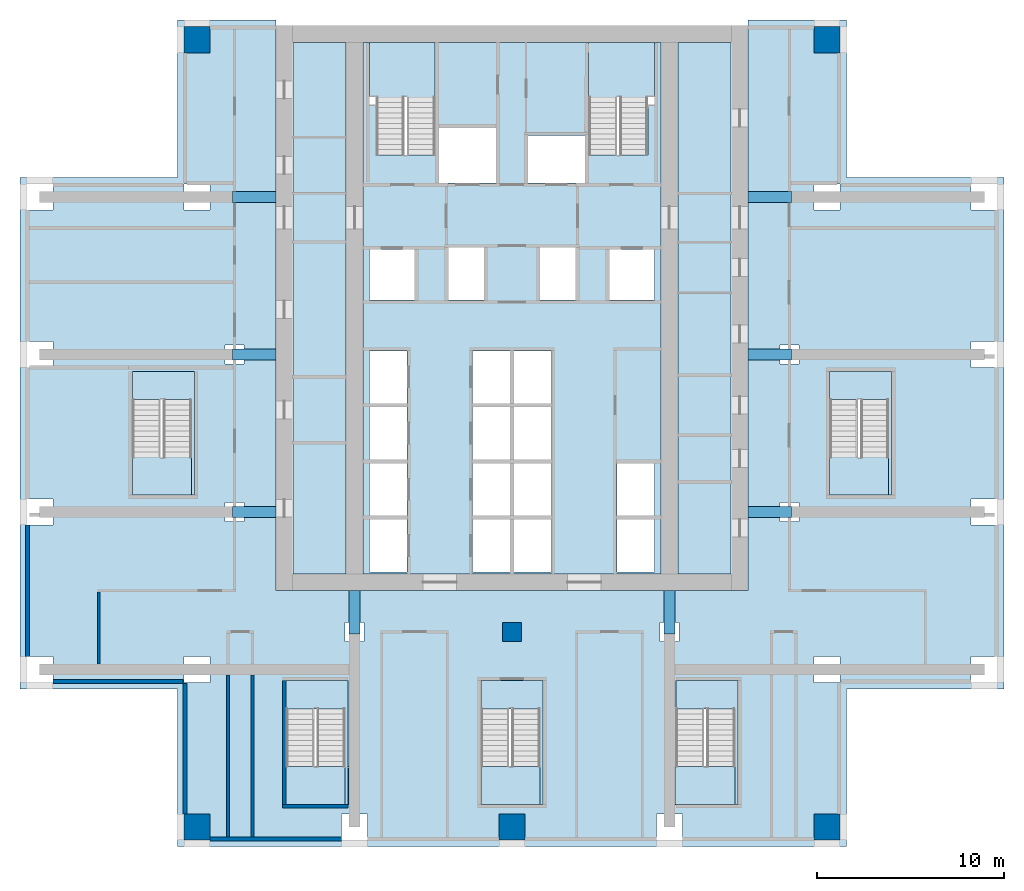
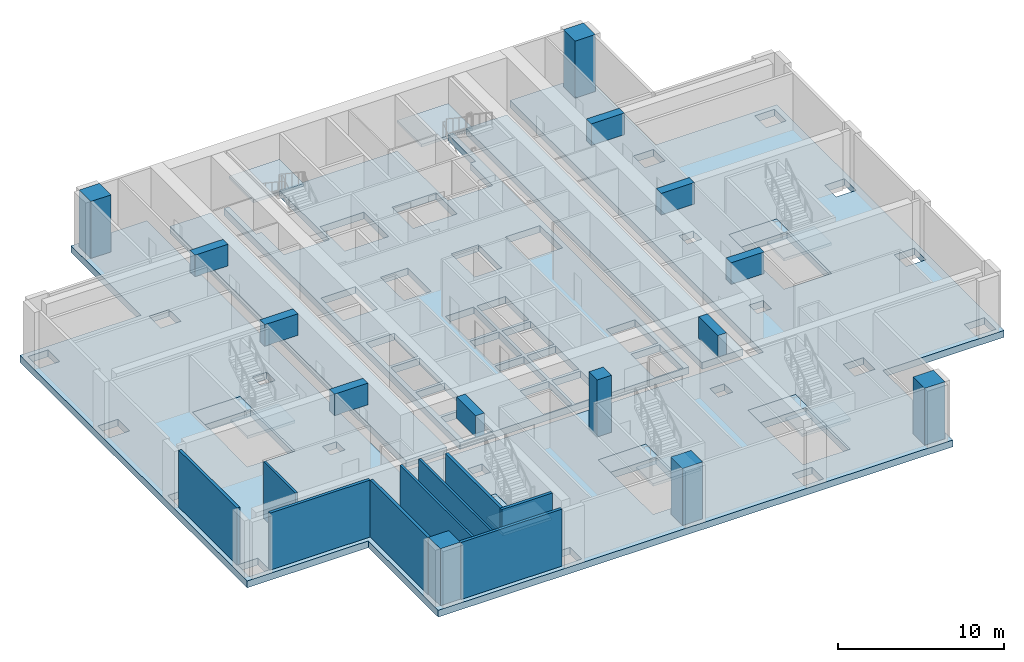
# One storey, part 1 of 11: 16 slabs, 9 walls, 8 beams, 6 columns, 7 elements without a shape of their own.
"""IFC4 building model written with IfcOpenShell, lengths in metres."""

from ifc_helpers import new_model, si_unit, direction, frame, frame_2d, origin, origin_2d, place, context, subcontext, project, spatial, polyline, rectangle, outline, extrude, material, layer, layer_set, material_profile, profile_set, type_object, element, aggregate, save


model = new_model("IFC4")

# Units and contexts
model_context = context("Model", 3, precision=1e-05, world=origin(), true_north=direction((0.0, 1.0)))
body_context = subcontext(model_context, "Body", "Model", "MODEL_VIEW")
ifc_project = project(units=[si_unit("LENGTHUNIT", "METRE"), si_unit("AREAUNIT", "SQUARE_METRE"), si_unit("VOLUMEUNIT", "CUBIC_METRE"), si_unit("PLANEANGLEUNIT", "RADIAN"), si_unit("MASSUNIT", "GRAM", prefix="KILO")], contexts=[model_context])

# Site, building, storey
site_placement = place(None, origin())
site = spatial("IfcSite", under=ifc_project, at=site_placement, CompositionType="ELEMENT")
building_placement = place(site_placement, origin())
building = spatial("IfcBuilding", under=site, at=building_placement, Name="Vermilion Ogive Tower", CompositionType="ELEMENT")
storey_placement = place(building_placement, frame((0.0, 0.0, 75.89990234375)))
storey = spatial("IfcBuildingStorey", under=building, at=storey_placement, Name="L18", CompositionType="ELEMENT", Elevation=75.89990234375)

# Columns
ifc_material_1 = material(Name="Concrete B80", Category="concrete")
ifc_material_profile_1 = material_profile(ifc_material_1, rectangle(XDim=1.39990234375, YDim=1.39990234375, at=origin_2d()), Name="1400 x 1400")
ifc_profile_set_1 = profile_set([ifc_material_profile_1], Name="Concrete B80")
column_type_1 = type_object("IfcColumnType", Name="Perimeter column 1400 x 1400 B80", PredefinedType="COLUMN", material=ifc_profile_set_1)
for number, where, z_axis, x_axis, name in (
    (1, (-16.800048828125, -21.0, -0.5), (0.0, 0.0, 1.0), (1.0, 0.0, 0.0), "COL-L18-P-0168-210"),
    (2, (0.0, -21.0, -0.5), (0.0, 0.0, 1.0), (1.0, 0.0, 0.0), "COL-L18-P+0000-210"),
    (3, (16.800048828125, -21.0, -0.5), (0.0, 0.0, 1.0), (1.0, 0.0, 0.0), "COL-L18-P+0168-210"),
    (4, (-16.800048828125, 21.0, -0.5), (0.0, 0.0, 1.0), (1.0, 0.0, 0.0), "COL-L18-P-0168+210"),
    (5, (16.800048828125, 21.0, -0.5), (0.0, 0.0, 1.0), (1.0, 0.0, 0.0), "COL-L18-P+0168+210"),
):
    element("IfcColumn", number, at=place(storey_placement, frame(where, z_axis=z_axis, x_axis=x_axis)), inside=storey, type_object=column_type_1, Name=name, PredefinedType="COLUMN", context=body_context, shape_type="SweptSolid", body=[
        extrude(rectangle(XDim=1.39990234375, YDim=1.39990234375, at=origin_2d()), origin(), (0.0, 0.0, 1.0), 4.68017578125),
    ])
ifc_material_2 = material(Name="Concrete B80", Category="concrete")
ifc_material_profile_2 = material_profile(ifc_material_2, rectangle(XDim=1.0, YDim=1.0, at=origin_2d()), Name="1000 x 1000")
ifc_profile_set_2 = profile_set([ifc_material_profile_2], Name="Concrete B80")
column_type_2 = type_object("IfcColumnType", Name="Ring column 1000 x 1000 B80", PredefinedType="COLUMN", material=ifc_profile_set_2)
column_placement = place(storey_placement, frame((0.0, -10.60009765625, -0.5), z_axis=(0.0, 0.0, 1.0), x_axis=(1.0, 0.0, 0.0)))
element("IfcColumn", 6, at=column_placement, inside=storey, type_object=column_type_2, Name="COL-L18-R+0000-106", PredefinedType="COLUMN", context=body_context, shape_type="SweptSolid", body=[
    extrude(rectangle(XDim=1.0, YDim=1.0, at=origin_2d()), origin(), (0.0, 0.0, 1.0), 4.68017578125),
])

# Beams
ifc_material_3 = material(Name="Concrete B60", Category="concrete")
ifc_material_profile_3 = material_profile(ifc_material_3, rectangle(XDim=0.60009765625, YDim=1.580078125, at=origin_2d()), Name="600 x 1580")
ifc_profile_set_3 = profile_set([ifc_material_profile_3], Name="Concrete B60")
beam_type = type_object("IfcBeamType", Name="Outrigger lintel beam 600 x 1580 B60", PredefinedType="BEAM", material=ifc_profile_set_3)
for number, where, z_axis, x_axis, name in (
    (7, (12.60009765625, -4.199951171875, 3.39013671875), (1.0, 0.0, 0.0), (0.0, 1.0, 0.0), "L18-OL-EWE-4.2"),
    (8, (12.60009765625, 4.199951171875, 3.39013671875), (1.0, 0.0, 0.0), (0.0, 1.0, 0.0), "L18-OL-EWE+4.2"),
    (9, (12.60009765625, 12.60009765625, 3.39013671875), (1.0, 0.0, 0.0), (0.0, 1.0, 0.0), "L18-OL-EWE+12.6"),
    (10, (-12.60009765625, -4.199951171875, 3.39013671875), (-1.0, 0.0, 0.0), (0.0, -1.0, 0.0), "L18-OL-EWW-4.2"),
    (11, (-12.60009765625, 4.199951171875, 3.39013671875), (-1.0, 0.0, 0.0), (0.0, -1.0, 0.0), "L18-OL-EWW+4.2"),
    (12, (-12.60009765625, 12.60009765625, 3.39013671875), (-1.0, 0.0, 0.0), (0.0, -1.0, 0.0), "L18-OL-EWW+12.6"),
):
    element("IfcBeam", number, at=place(storey_placement, frame(where, z_axis=z_axis, x_axis=x_axis)), inside=storey, type_object=beam_type, Name=name, PredefinedType="BEAM", context=body_context, shape_type="SweptSolid", body=[
        extrude(rectangle(XDim=0.60009765625, YDim=1.580078125, at=origin_2d()), origin(), (0.0, 0.0, 1.0), 2.2998046875),
    ])
for number, where, z_axis, x_axis, name in (
    (13, (-8.39990234375, -8.39990234375, 3.39013671875), (0.0, -1.0, 0.0), (1.0, 0.0, 0.0), "L18-OL-NS-8.4"),
    (14, (8.39990234375, -8.39990234375, 3.39013671875), (0.0, -1.0, 0.0), (1.0, 0.0, 0.0), "L18-OL-NS+8.4"),
):
    element("IfcBeam", number, at=place(storey_placement, frame(where, z_axis=z_axis, x_axis=x_axis)), inside=storey, type_object=beam_type, Name=name, PredefinedType="BEAM", context=body_context, shape_type="SweptSolid", body=[
        extrude(rectangle(XDim=0.60009765625, YDim=1.580078125, at=origin_2d()), origin(), (0.0, 0.0, 1.0), 2.300048828125),
    ])

# Slabs
ifc_material_4 = material(Name="Concrete B40", Category="concrete")
ifc_layer_1 = layer(ifc_material_4, 0.5)
ifc_layer_set_1 = layer_set([ifc_layer_1], Name="Core floor slab 500 B40")
slab_type_1 = type_object("IfcSlabType", Name="Core floor slab 500 B40", PredefinedType="FLOOR", material=ifc_layer_set_1)
slab_1_placement = place(storey_placement, frame((0.0, 0.0, -0.5)))
element("IfcSlab", 15, at=slab_1_placement, inside=storey, type_object=slab_type_1, Name="L18-CK-FS1", PredefinedType="FLOOR", context=body_context, shape_type="SweptSolid", body=[
    extrude(outline(polyline([(-8.85400390625, -7.49609375), (-11.696044921875, -7.49609375), (-11.696044921875, 20.845947265625), (-8.85400390625, 20.845947265625), (-8.85400390625, -7.49609375)])), origin(), (0.0, 0.0, 1.0), 0.5),
])
slab_2_placement = place(storey_placement, frame((0.0, 0.0, -0.5)))
element("IfcSlab", 16, at=slab_2_placement, inside=storey, type_object=slab_type_1, Name="L18-CK-FS2", PredefinedType="FLOOR", context=body_context, shape_type="SweptSolid", body=[
    extrude(outline(polyline([(5.75, 14.85009765625), (5.60009765625, 14.85009765625), (5.60009765625, 14.85205078125), (4.10009765625, 14.85205078125), (4.10009765625, 17.550048828125), (4.074951171875, 17.550048828125), (4.074951171875, 20.845947265625), (-4.10009765625, 20.845947265625), (-4.10009765625, 14.85205078125), (-5.60009765625, 14.85205078125), (-5.60009765625, 14.85009765625), (-5.75, 14.85009765625), (-5.75, 14.85205078125), (-7.25, 14.85205078125), (-7.25, 17.550048828125), (-7.60009765625, 17.550048828125), (-7.60009765625, 20.845947265625), (-7.946044921875, 20.845947265625), (-7.946044921875, -7.49609375), (7.946044921875, -7.49609375), (7.946044921875, 20.845947265625), (7.60009765625, 20.845947265625), (7.60009765625, 17.550048828125), (7.25, 17.550048828125), (7.25, 14.85205078125), (5.75, 14.85205078125), (5.75, 14.85009765625)]), holes=[polyline([(-7.60009765625, -4.60009765625), (-5.60009765625, -4.60009765625), (-5.60009765625, -7.39990234375), (-7.60009765625, -7.39990234375), (-7.60009765625, -4.60009765625)]), polyline([(-2.10009765625, -4.60009765625), (-0.10009765625, -4.60009765625), (-0.10009765625, -7.39990234375), (-2.10009765625, -7.39990234375), (-2.10009765625, -4.60009765625)]), polyline([(-7.60009765625, -4.39990234375), (-7.60009765625, -1.60009765625), (-5.60009765625, -1.60009765625), (-5.60009765625, -4.39990234375), (-7.60009765625, -4.39990234375)]), polyline([(-2.10009765625, -1.60009765625), (-0.10009765625, -1.60009765625), (-0.10009765625, -4.39990234375), (-2.10009765625, -4.39990234375), (-2.10009765625, -1.60009765625)]), polyline([(-7.60009765625, -1.39990234375), (-7.60009765625, 1.39990234375), (-5.60009765625, 1.39990234375), (-5.60009765625, -1.39990234375), (-7.60009765625, -1.39990234375)]), polyline([(-2.10009765625, 1.39990234375), (-0.10009765625, 1.39990234375), (-0.10009765625, -1.39990234375), (-2.10009765625, -1.39990234375), (-2.10009765625, 1.39990234375)]), polyline([(-7.60009765625, 4.39990234375), (-5.60009765625, 4.39990234375), (-5.60009765625, 1.60009765625), (-7.60009765625, 1.60009765625), (-7.60009765625, 4.39990234375)]), polyline([(-2.10009765625, 4.39990234375), (-0.10009765625, 4.39990234375), (-0.10009765625, 1.60009765625), (-2.10009765625, 1.60009765625), (-2.10009765625, 4.39990234375)]), polyline([(-7.60009765625, 9.800048828125), (-5.199951171875, 9.800048828125), (-5.199951171875, 7.10009765625), (-7.60009765625, 7.10009765625), (-7.60009765625, 9.800048828125)]), polyline([(-3.39990234375, 9.89990234375), (-1.5, 9.89990234375), (-1.5, 7.10009765625), (-3.39990234375, 7.10009765625), (-3.39990234375, 9.89990234375)]), polyline([(-3.89990234375, 16.300048828125), (-0.85009765625, 16.300048828125), (-0.85009765625, 13.35009765625), (-3.89990234375, 13.35009765625), (-3.89990234375, 16.300048828125)]), polyline([(0.10009765625, -4.60009765625), (2.10009765625, -4.60009765625), (2.10009765625, -7.39990234375), (0.10009765625, -7.39990234375), (0.10009765625, -4.60009765625)]), polyline([(5.60009765625, -4.60009765625), (7.60009765625, -4.60009765625), (7.60009765625, -7.39990234375), (5.60009765625, -7.39990234375), (5.60009765625, -4.60009765625)]), polyline([(0.10009765625, -1.60009765625), (2.10009765625, -1.60009765625), (2.10009765625, -4.39990234375), (0.10009765625, -4.39990234375), (0.10009765625, -1.60009765625)]), polyline([(5.60009765625, -1.60009765625), (7.60009765625, -1.60009765625), (7.60009765625, -4.39990234375), (5.60009765625, -4.39990234375), (5.60009765625, -1.60009765625)]), polyline([(0.10009765625, 1.39990234375), (2.10009765625, 1.39990234375), (2.10009765625, -1.39990234375), (0.10009765625, -1.39990234375), (0.10009765625, 1.39990234375)]), polyline([(0.10009765625, 4.39990234375), (2.10009765625, 4.39990234375), (2.10009765625, 1.60009765625), (0.10009765625, 1.60009765625), (0.10009765625, 4.39990234375)]), polyline([(5.199951171875, 9.800048828125), (7.60009765625, 9.800048828125), (7.60009765625, 7.10009765625), (5.199951171875, 7.10009765625), (5.199951171875, 9.800048828125)]), polyline([(1.5, 9.89990234375), (3.39990234375, 9.89990234375), (3.39990234375, 7.10009765625), (1.5, 7.10009765625), (1.5, 9.89990234375)]), polyline([(0.85009765625, 15.89990234375), (3.89990234375, 15.89990234375), (3.89990234375, 13.35009765625), (0.85009765625, 13.35009765625), (0.85009765625, 15.89990234375)])]), origin(), (0.0, 0.0, 1.0), 0.5),
])
slab_3_placement = place(storey_placement, frame((0.0, 0.0, -0.5)))
element("IfcSlab", 17, at=slab_3_placement, inside=storey, type_object=slab_type_1, Name="L18-CK-FS3", PredefinedType="FLOOR", context=body_context, shape_type="SweptSolid", body=[
    extrude(outline(polyline([(8.85400390625, 20.845947265625), (11.696044921875, 20.845947265625), (11.696044921875, -7.49609375), (8.85400390625, -7.49609375), (8.85400390625, 20.845947265625)])), origin(), (0.0, 0.0, 1.0), 0.5),
])
slab_4_placement = place(storey_placement, frame((0.0, 0.0, -0.5)))
element("IfcSlab", 18, at=slab_4_placement, inside=storey, type_object=slab_type_1, Name="L18-SF-ST3-1", PredefinedType="FLOOR", context=body_context, shape_type="SweptSolid", body=[
    extrude(outline(polyline([(-12.050048828125, -13.199951171875), (-12.050048828125, -14.701904296875), (-10.550048828125, -14.701904296875), (-10.550048828125, -14.699951171875), (-10.39990234375, -14.699951171875), (-10.39990234375, -14.701904296875), (-8.89990234375, -14.701904296875), (-8.89990234375, -19.800048828125), (-8.75, -19.800048828125), (-8.75, -13.199951171875), (-12.050048828125, -13.199951171875)])), origin(), (0.0, 0.0, 1.0), 0.5),
])
slab_5_placement = place(storey_placement, frame((0.0, 0.0, -0.5)))
element("IfcSlab", 19, at=slab_5_placement, inside=storey, type_object=slab_type_1, Name="L18-SF-ST4-1", PredefinedType="FLOOR", context=body_context, shape_type="SweptSolid", body=[
    extrude(outline(polyline([(-1.64990234375, -13.199951171875), (-1.64990234375, -14.701904296875), (-0.14990234375, -14.701904296875), (-0.14990234375, -14.699951171875), (0.0, -14.699951171875), (0.0, -14.701904296875), (1.5, -14.701904296875), (1.5, -19.800048828125), (1.64990234375, -19.800048828125), (1.64990234375, -13.199951171875), (-1.64990234375, -13.199951171875)])), origin(), (0.0, 0.0, 1.0), 0.5),
])
slab_6_placement = place(storey_placement, frame((0.0, 0.0, -0.5)))
element("IfcSlab", 20, at=slab_6_placement, inside=storey, type_object=slab_type_1, Name="L18-SF-ST5-1", PredefinedType="FLOOR", context=body_context, shape_type="SweptSolid", body=[
    extrude(outline(polyline([(8.75, -13.199951171875), (8.75, -14.701904296875), (10.25, -14.701904296875), (10.25, -14.699951171875), (10.39990234375, -14.699951171875), (10.39990234375, -14.701904296875), (11.89990234375, -14.701904296875), (11.89990234375, -19.800048828125), (12.050048828125, -19.800048828125), (12.050048828125, -13.199951171875), (8.75, -13.199951171875)])), origin(), (0.0, 0.0, 1.0), 0.5),
])
slab_7_placement = place(storey_placement, frame((0.0, 0.0, -0.5)))
element("IfcSlab", 21, at=slab_7_placement, inside=storey, type_object=slab_type_1, Name="L18-SF-ST8-1", PredefinedType="FLOOR", context=body_context, shape_type="SweptSolid", body=[
    extrude(outline(polyline([(16.949951171875, 3.300048828125), (16.949951171875, 1.798095703125), (18.449951171875, 1.798095703125), (18.449951171875, 1.800048828125), (18.60009765625, 1.800048828125), (18.60009765625, 1.798095703125), (20.10009765625, 1.798095703125), (20.10009765625, -3.300048828125), (20.25, -3.300048828125), (20.25, 3.300048828125), (16.949951171875, 3.300048828125)])), origin(), (0.0, 0.0, 1.0), 0.5),
])
slab_8_placement = place(storey_placement, frame((0.0, 0.0, -0.5)))
element("IfcSlab", 22, at=slab_8_placement, inside=storey, type_object=slab_type_1, Name="L18-SF-ST9-1", PredefinedType="FLOOR", context=body_context, shape_type="SweptSolid", body=[
    extrude(outline(polyline([(-20.25, 3.300048828125), (-20.25, 1.798095703125), (-18.75, 1.798095703125), (-18.75, 1.800048828125), (-18.60009765625, 1.800048828125), (-18.60009765625, 1.798095703125), (-17.10009765625, 1.798095703125), (-17.10009765625, -3.300048828125), (-16.949951171875, -3.300048828125), (-16.949951171875, 3.300048828125), (-20.25, 3.300048828125)])), origin(), (0.0, 0.0, 1.0), 0.5),
])
ifc_material_5 = material(Name="Concrete B45", Category="concrete")
ifc_layer_2 = layer(ifc_material_5, 0.5)
ifc_layer_set_2 = layer_set([ifc_layer_2], Name="Post-tensioned flat plate 500 B45")
slab_type_2 = type_object("IfcSlabType", Name="Post-tensioned flat plate 500 B45", PredefinedType="FLOOR", material=ifc_layer_set_2)
slab_9_placement = place(storey_placement, frame((0.0, 0.0, -0.5)))
element("IfcSlab", 23, at=slab_9_placement, inside=storey, type_object=slab_type_2, Name="L18-SL-1", PredefinedType="FLOOR", context=body_context, shape_type="SweptSolid", body=[
    extrude(outline(polyline([(-26.25, 13.64990234375), (-26.25, -13.64990234375), (-17.85009765625, -13.64990234375), (-17.85009765625, -22.050048828125), (17.85009765625, -22.050048828125), (17.85009765625, -13.64990234375), (26.25, -13.64990234375), (26.25, 13.64990234375), (17.85009765625, 13.64990234375), (17.85009765625, 22.050048828125), (12.60009765625, 22.050048828125), (12.60009765625, -8.39990234375), (-12.60009765625, -8.39990234375), (-12.60009765625, 22.050048828125), (-17.85009765625, 22.050048828125), (-17.85009765625, 13.64990234375), (-26.25, 13.64990234375)]), holes=[polyline([(24.5, 13.300048828125), (25.89990234375, 13.300048828125), (25.89990234375, 11.89990234375), (24.5, 11.89990234375), (24.5, 13.300048828125)]), polyline([(24.5, -3.5), (25.89990234375, -3.5), (25.89990234375, -4.89990234375), (24.5, -4.89990234375), (24.5, -3.5)]), polyline([(24.5, -11.89990234375), (25.89990234375, -11.89990234375), (25.89990234375, -13.300048828125), (24.5, -13.300048828125), (24.5, -11.89990234375)]), polyline([(25.89990234375, 4.89990234375), (25.89990234375, 3.5), (24.5, 3.5), (24.5, 4.89990234375), (25.89990234375, 4.89990234375)]), polyline([(20.275146484375, -3.2998046875), (20.25, -3.2998046875), (20.25, -3.300048828125), (16.949951171875, -3.300048828125), (16.949951171875, 3.300048828125), (20.25, 3.300048828125), (20.25, -0.89990234375), (20.275146484375, -0.89990234375), (20.275146484375, -3.2998046875)]), polyline([(16.10009765625, -11.89990234375), (17.5, -11.89990234375), (17.5, -13.300048828125), (16.10009765625, -13.300048828125), (16.10009765625, -11.89990234375)]), polyline([(17.5, 21.699951171875), (17.5, 20.300048828125), (16.10009765625, 20.300048828125), (16.10009765625, 21.699951171875), (17.5, 21.699951171875)]), polyline([(16.10009765625, -20.300048828125), (17.5, -20.300048828125), (17.5, -21.699951171875), (16.10009765625, -21.699951171875), (16.10009765625, -20.300048828125)]), polyline([(16.10009765625, 13.300048828125), (17.5, 13.300048828125), (17.5, 11.89990234375), (16.10009765625, 11.89990234375), (16.10009765625, 13.300048828125)]), polyline([(14.300048828125, 4.699951171875), (15.300048828125, 4.699951171875), (15.300048828125, 3.699951171875), (14.300048828125, 3.699951171875), (14.300048828125, 4.699951171875)]), polyline([(15.300048828125, -3.699951171875), (15.300048828125, -4.699951171875), (14.300048828125, -4.699951171875), (14.300048828125, -3.699951171875), (15.300048828125, -3.699951171875)]), polyline([(8.75, -13.199951171875), (12.050048828125, -13.199951171875), (12.050048828125, -19.800048828125), (8.75, -19.800048828125), (8.75, -13.199951171875)]), polyline([(7.699951171875, -20.300048828125), (9.10009765625, -20.300048828125), (9.10009765625, -21.699951171875), (7.699951171875, -21.699951171875), (7.699951171875, -20.300048828125)]), polyline([(7.89990234375, -10.10009765625), (8.89990234375, -10.10009765625), (8.89990234375, -11.10009765625), (7.89990234375, -11.10009765625), (7.89990234375, -10.10009765625)]), polyline([(-1.64990234375, -13.199951171875), (1.64990234375, -13.199951171875), (1.64990234375, -19.800048828125), (-1.64990234375, -19.800048828125), (-1.64990234375, -13.199951171875)]), polyline([(-0.699951171875, -20.300048828125), (0.699951171875, -20.300048828125), (0.699951171875, -21.699951171875), (-0.699951171875, -21.699951171875), (-0.699951171875, -20.300048828125)]), polyline([(-0.5, -10.10009765625), (0.5, -10.10009765625), (0.5, -11.10009765625), (-0.5, -11.10009765625), (-0.5, -10.10009765625)]), polyline([(-9.10009765625, -20.300048828125), (-7.699951171875, -20.300048828125), (-7.699951171875, -21.699951171875), (-9.10009765625, -21.699951171875), (-9.10009765625, -20.300048828125)]), polyline([(-7.89990234375, -10.10009765625), (-7.89990234375, -11.10009765625), (-8.89990234375, -11.10009765625), (-8.89990234375, -10.10009765625), (-7.89990234375, -10.10009765625)]), polyline([(-12.050048828125, -13.199951171875), (-8.75, -13.199951171875), (-8.75, -19.800048828125), (-12.050048828125, -19.800048828125), (-12.050048828125, -13.199951171875)]), polyline([(-15.300048828125, -3.699951171875), (-14.300048828125, -3.699951171875), (-14.300048828125, -4.699951171875), (-15.300048828125, -4.699951171875), (-15.300048828125, -3.699951171875)]), polyline([(-14.300048828125, 4.699951171875), (-14.300048828125, 3.699951171875), (-15.300048828125, 3.699951171875), (-15.300048828125, 4.699951171875), (-14.300048828125, 4.699951171875)]), polyline([(-17.5, 13.300048828125), (-16.10009765625, 13.300048828125), (-16.10009765625, 11.89990234375), (-17.5, 11.89990234375), (-17.5, 13.300048828125)]), polyline([(-17.5, -11.89990234375), (-16.10009765625, -11.89990234375), (-16.10009765625, -13.300048828125), (-17.5, -13.300048828125), (-17.5, -11.89990234375)]), polyline([(-17.5, -20.300048828125), (-16.10009765625, -20.300048828125), (-16.10009765625, -21.699951171875), (-17.5, -21.699951171875), (-17.5, -20.300048828125)]), polyline([(-16.10009765625, 21.699951171875), (-16.10009765625, 20.300048828125), (-17.5, 20.300048828125), (-17.5, 21.699951171875), (-16.10009765625, 21.699951171875)]), polyline([(-20.25, -3.300048828125), (-20.25, -3.2998046875), (-20.275146484375, -3.2998046875), (-20.275146484375, -0.89990234375), (-20.25, -0.89990234375), (-20.25, 3.300048828125), (-16.949951171875, 3.300048828125), (-16.949951171875, -3.300048828125), (-20.25, -3.300048828125)]), polyline([(-24.5, -3.5), (-24.5, -4.89990234375), (-25.89990234375, -4.89990234375), (-25.89990234375, -3.5), (-24.5, -3.5)]), polyline([(-25.89990234375, 4.89990234375), (-24.5, 4.89990234375), (-24.5, 3.5), (-25.89990234375, 3.5), (-25.89990234375, 4.89990234375)]), polyline([(-25.89990234375, -11.89990234375), (-24.5, -11.89990234375), (-24.5, -13.300048828125), (-25.89990234375, -13.300048828125), (-25.89990234375, -11.89990234375)]), polyline([(-24.5, 13.300048828125), (-24.5, 11.89990234375), (-25.89990234375, 11.89990234375), (-25.89990234375, 13.300048828125), (-24.5, 13.300048828125)])]), origin(), (0.0, 0.0, 1.0), 0.5),
])

# Stair, slab
ifc_material_6 = material(Name="Concrete B40", Category="concrete")
stair_type = type_object("IfcStairType", Name="Exit stair 1500", PredefinedType="HALF_TURN_STAIR", material=ifc_material_6)
stair_1_placement = place(storey_placement, origin())
stair_1 = element("IfcStair", 24, at=stair_1_placement, inside=storey, type_object=stair_type, Name="L18 Exit Stair ST1", PredefinedType="HALF_TURN_STAIR")
ifc_material_7 = material(Name="Concrete B40", Category="concrete")
ifc_layer_3 = layer(ifc_material_7, 0.199951171875)
ifc_layer_set_3 = layer_set([ifc_layer_3], Name="Stair landing 200")
slab_type_3 = type_object("IfcSlabType", Name="Stair landing 200", PredefinedType="LANDING", material=ifc_layer_set_3)
slab_10_placement = place(storey_placement, frame((0.0, 0.0, 2.050048828125)))
slab_10 = element("IfcSlab", 25, at=slab_10_placement, type_object=slab_type_3, Name="ST1 landing 1", PredefinedType="LANDING", context=body_context, shape_type="SweptSolid", body=[
    extrude(outline(polyline([(-7.60009765625, 17.929931640625), (-7.25, 17.929931640625), (-7.25, 17.927978515625), (-5.75, 17.927978515625), (-5.75, 17.929931640625), (-5.60009765625, 17.929931640625), (-5.60009765625, 17.927978515625), (-4.10009765625, 17.927978515625), (-4.10009765625, 20.85009765625), (-7.60009765625, 20.85009765625), (-7.60009765625, 17.929931640625)])), origin(), (0.0, 0.0, 1.0), 0.199951171875),
])
aggregate(stair_1, [slab_10])

stair_2_placement = place(storey_placement, origin())
stair_2 = element("IfcStair", 26, at=stair_2_placement, inside=storey, type_object=stair_type, Name="L18 Exit Stair ST2", PredefinedType="HALF_TURN_STAIR")
slab_11_placement = place(storey_placement, frame((0.0, 0.0, 2.050048828125)))
slab_11 = element("IfcSlab", 27, at=slab_11_placement, type_object=slab_type_3, Name="ST2 landing 1", PredefinedType="LANDING", context=body_context, shape_type="SweptSolid", body=[
    extrude(outline(polyline([(5.60009765625, 17.929931640625), (5.75, 17.929931640625), (5.75, 17.927978515625), (7.25, 17.927978515625), (7.25, 17.929931640625), (7.60009765625, 17.929931640625), (7.60009765625, 20.85009765625), (4.074951171875, 20.85009765625), (4.074951171875, 17.929931640625), (4.10009765625, 17.929931640625), (4.10009765625, 17.927978515625), (5.60009765625, 17.927978515625), (5.60009765625, 17.929931640625)])), origin(), (0.0, 0.0, 1.0), 0.199951171875),
])
aggregate(stair_2, [slab_11])

stair_3_placement = place(storey_placement, origin())
stair_3 = element("IfcStair", 28, at=stair_3_placement, inside=storey, type_object=stair_type, Name="L18 Exit Stair ST3", PredefinedType="HALF_TURN_STAIR")
slab_12_placement = place(storey_placement, frame((0.0, 0.0, 2.050048828125)))
slab_12 = element("IfcSlab", 29, at=slab_12_placement, type_object=slab_type_3, Name="ST3 landing 1", PredefinedType="LANDING", context=body_context, shape_type="SweptSolid", body=[
    extrude(outline(polyline([(-8.699951171875, -17.780029296875), (-8.89990234375, -17.780029296875), (-8.89990234375, -17.778076171875), (-10.39990234375, -17.778076171875), (-10.39990234375, -17.780029296875), (-10.550048828125, -17.780029296875), (-10.550048828125, -17.778076171875), (-12.050048828125, -17.778076171875), (-12.050048828125, -19.800048828125), (-8.699951171875, -19.800048828125), (-8.699951171875, -17.780029296875)])), origin(), (0.0, 0.0, 1.0), 0.199951171875),
])
aggregate(stair_3, [slab_12])

stair_4_placement = place(storey_placement, origin())
stair_4 = element("IfcStair", 30, at=stair_4_placement, inside=storey, type_object=stair_type, Name="L18 Exit Stair ST4", PredefinedType="HALF_TURN_STAIR")
slab_13_placement = place(storey_placement, frame((0.0, 0.0, 2.050048828125)))
slab_13 = element("IfcSlab", 31, at=slab_13_placement, type_object=slab_type_3, Name="ST4 landing 1", PredefinedType="LANDING", context=body_context, shape_type="SweptSolid", body=[
    extrude(outline(polyline([(1.64990234375, -17.780029296875), (1.5, -17.780029296875), (1.5, -17.778076171875), (0.0, -17.778076171875), (0.0, -17.780029296875), (-0.14990234375, -17.780029296875), (-0.14990234375, -17.778076171875), (-1.64990234375, -17.778076171875), (-1.64990234375, -19.800048828125), (1.64990234375, -19.800048828125), (1.64990234375, -17.780029296875)])), origin(), (0.0, 0.0, 1.0), 0.199951171875),
])
aggregate(stair_4, [slab_13])

stair_5_placement = place(storey_placement, origin())
stair_5 = element("IfcStair", 32, at=stair_5_placement, inside=storey, type_object=stair_type, Name="L18 Exit Stair ST5", PredefinedType="HALF_TURN_STAIR")
slab_14_placement = place(storey_placement, frame((0.0, 0.0, 2.050048828125)))
slab_14 = element("IfcSlab", 33, at=slab_14_placement, type_object=slab_type_3, Name="ST5 landing 1", PredefinedType="LANDING", context=body_context, shape_type="SweptSolid", body=[
    extrude(outline(polyline([(12.050048828125, -17.780029296875), (11.89990234375, -17.780029296875), (11.89990234375, -17.778076171875), (10.39990234375, -17.778076171875), (10.39990234375, -17.780029296875), (10.25, -17.780029296875), (10.25, -17.778076171875), (8.75, -17.778076171875), (8.75, -17.780029296875), (8.699951171875, -17.780029296875), (8.699951171875, -19.800048828125), (12.050048828125, -19.800048828125), (12.050048828125, -17.780029296875)])), origin(), (0.0, 0.0, 1.0), 0.199951171875),
])
aggregate(stair_5, [slab_14])

stair_6_placement = place(storey_placement, origin())
stair_6 = element("IfcStair", 34, at=stair_6_placement, inside=storey, type_object=stair_type, Name="L18 Exit Stair ST8", PredefinedType="HALF_TURN_STAIR")
slab_15_placement = place(storey_placement, frame((0.0, 0.0, 2.050048828125)))
slab_15 = element("IfcSlab", 35, at=slab_15_placement, type_object=slab_type_3, Name="ST8 landing 1", PredefinedType="LANDING", context=body_context, shape_type="SweptSolid", body=[
    extrude(outline(polyline([(20.25, -1.280029296875), (20.10009765625, -1.280029296875), (20.10009765625, -1.278076171875), (18.60009765625, -1.278076171875), (18.60009765625, -1.280029296875), (18.449951171875, -1.280029296875), (18.449951171875, -1.278076171875), (16.949951171875, -1.278076171875), (16.949951171875, -3.300048828125), (20.25, -3.300048828125), (20.25, -1.280029296875)])), origin(), (0.0, 0.0, 1.0), 0.199951171875),
])
aggregate(stair_6, [slab_15])

stair_7_placement = place(storey_placement, origin())
stair_7 = element("IfcStair", 36, at=stair_7_placement, inside=storey, type_object=stair_type, Name="L18 Exit Stair ST9", PredefinedType="HALF_TURN_STAIR")
slab_16_placement = place(storey_placement, frame((0.0, 0.0, 2.050048828125)))
slab_16 = element("IfcSlab", 37, at=slab_16_placement, type_object=slab_type_3, Name="ST9 landing 1", PredefinedType="LANDING", context=body_context, shape_type="SweptSolid", body=[
    extrude(outline(polyline([(-16.949951171875, -1.280029296875), (-17.10009765625, -1.280029296875), (-17.10009765625, -1.278076171875), (-18.60009765625, -1.278076171875), (-18.60009765625, -1.280029296875), (-18.75, -1.280029296875), (-18.75, -1.278076171875), (-20.25, -1.278076171875), (-20.25, -3.300048828125), (-16.949951171875, -3.300048828125), (-16.949951171875, -1.280029296875)])), origin(), (0.0, 0.0, 1.0), 0.199951171875),
])
aggregate(stair_7, [slab_16])

# Walls
ifc_material_8 = material(Name="Gypsum board partition on steel studs", Category="steel")
ifc_layer_4 = layer(ifc_material_8, 0.14990234375)
ifc_layer_set_4 = layer_set([ifc_layer_4], Name="Partition 150 corridor")
wall_type_1 = type_object("IfcWallType", Name="Partition 150 corridor", PredefinedType="PARTITIONING", material=ifc_layer_set_4)
wall_1_placement = place(storey_placement, frame((-22.050048828125, -12.299072265625, 0.0), z_axis=(0.0, 0.0, 1.0), x_axis=(0.0, 1.0, 0.0)))
element("IfcWall", 38, at=wall_1_placement, inside=storey, type_object=wall_type_1, Name="L18-FS-W-W016", PredefinedType="PARTITIONING", context=body_context, shape_type="SweptSolid", body=[
    extrude(rectangle(XDim=3.823974609375, YDim=0.14990234375, at=frame_2d((1.912109375, 0.0))), origin(), (0.0, 0.0, 1.0), 4.18017578125),
])
for number, where, z_axis, x_axis, name in (
    (39, (-15.14990234375, -21.550048828125, 0.0), (0.0, 0.0, 1.0), (0.0, 1.0, 0.0), "L18-FS-W-W017a"),
    (40, (-13.85009765625, -21.550048828125, 0.0), (0.0, 0.0, 1.0), (0.0, 1.0, 0.0), "L18-FS-W-W019a"),
):
    element("IfcWall", number, at=place(storey_placement, frame(where, z_axis=z_axis, x_axis=x_axis)), inside=storey, type_object=wall_type_1, Name=name, PredefinedType="PARTITIONING", context=body_context, shape_type="SweptSolid", body=[
        extrude(rectangle(XDim=8.649169921875, YDim=0.14990234375, at=frame_2d((4.32470703125, 0.0))), origin(), (0.0, 0.0, 1.0), 4.18017578125),
    ])
ifc_material_9 = material(Name="Aluminium louvre panels", Category="aluminium")
ifc_layer_5 = layer(ifc_material_9, 0.199951171875)
ifc_layer_set_5 = layer_set([ifc_layer_5], Name="Plant louvre wall")
wall_type_2 = type_object("IfcWallType", Name="Plant louvre wall", PredefinedType="STANDARD", material=ifc_layer_set_5)
for number, where, z_axis, x_axis, name in (
    (41, (-16.10009765625, -21.64990234375, 0.0), (0.0, 0.0, 1.0), (1.0, 0.0, 0.0), "Window wall S1"),
    (42, (-25.85009765625, -4.89990234375, 0.0), (0.0, 0.0, 1.0), (0.0, -1.0, 0.0), "Window wall W3"),
):
    element("IfcWall", number, at=place(storey_placement, frame(where, z_axis=z_axis, x_axis=x_axis)), inside=storey, type_object=wall_type_2, Name=name, PredefinedType="STANDARD", context=body_context, shape_type="SweptSolid", body=[
        extrude(rectangle(XDim=7.0, YDim=0.199951171875, at=frame_2d((3.5, 0.0))), origin(), (0.0, 0.0, 1.0), 4.18017578125),
    ])
for number, where, z_axis, x_axis, name in (
    (43, (-24.5, -13.25, 0.0), (0.0, 0.0, 1.0), (1.0, 0.0, 0.0), "Window wall X71"),
    (44, (-17.449951171875, -13.35009765625, 0.0), (0.0, 0.0, 1.0), (0.0, -1.0, 0.0), "Window wall X81"),
):
    element("IfcWall", number, at=place(storey_placement, frame(where, z_axis=z_axis, x_axis=x_axis)), inside=storey, type_object=wall_type_2, Name=name, PredefinedType="STANDARD", context=body_context, shape_type="SweptSolid", body=[
        extrude(rectangle(XDim=6.949951171875, YDim=0.199951171875, at=frame_2d((3.47509765625, 0.0))), origin(), (0.0, 0.0, 1.0), 4.18017578125),
    ])
ifc_material_10 = material(Name="Concrete B60", Category="concrete")
ifc_layer_6 = layer(ifc_material_10, 0.199951171875)
ifc_layer_set_6 = layer_set([ifc_layer_6], Name="Stair shaft wall 200 Concrete B60")
wall_type_3 = type_object("IfcWallType", Name="Stair shaft wall 200 Concrete B60", PredefinedType="SOLIDWALL", material=ifc_layer_set_6)
wall_2_placement = place(storey_placement, frame((-12.25, -19.89990234375, 0.0), z_axis=(0.0, 0.0, 1.0), x_axis=(1.0, 0.0, 0.0)))
element("IfcWall", 45, at=wall_2_placement, inside=storey, type_object=wall_type_3, Name="L18-SW-ST3-S1", PredefinedType="SOLIDWALL", context=body_context, shape_type="SweptSolid", body=[
    extrude(rectangle(XDim=3.5, YDim=0.199951171875, at=frame_2d((1.75, 0.0))), origin(), (0.0, 0.0, 1.0), 4.18017578125),
])
wall_3_placement = place(storey_placement, frame((-12.14990234375, -19.800048828125, 0.0), z_axis=(0.0, 0.0, 1.0), x_axis=(0.0, 1.0, 0.0)))
element("IfcWall", 46, at=wall_3_placement, inside=storey, type_object=wall_type_3, Name="L18-SW-ST3-W1", PredefinedType="SOLIDWALL", context=body_context, shape_type="SweptSolid", body=[
    extrude(rectangle(XDim=6.60009765625, YDim=0.199951171875, at=frame_2d((3.300048828125, 0.0))), origin(), (0.0, 0.0, 1.0), 4.18017578125),
])

save(model, "model.ifc")
